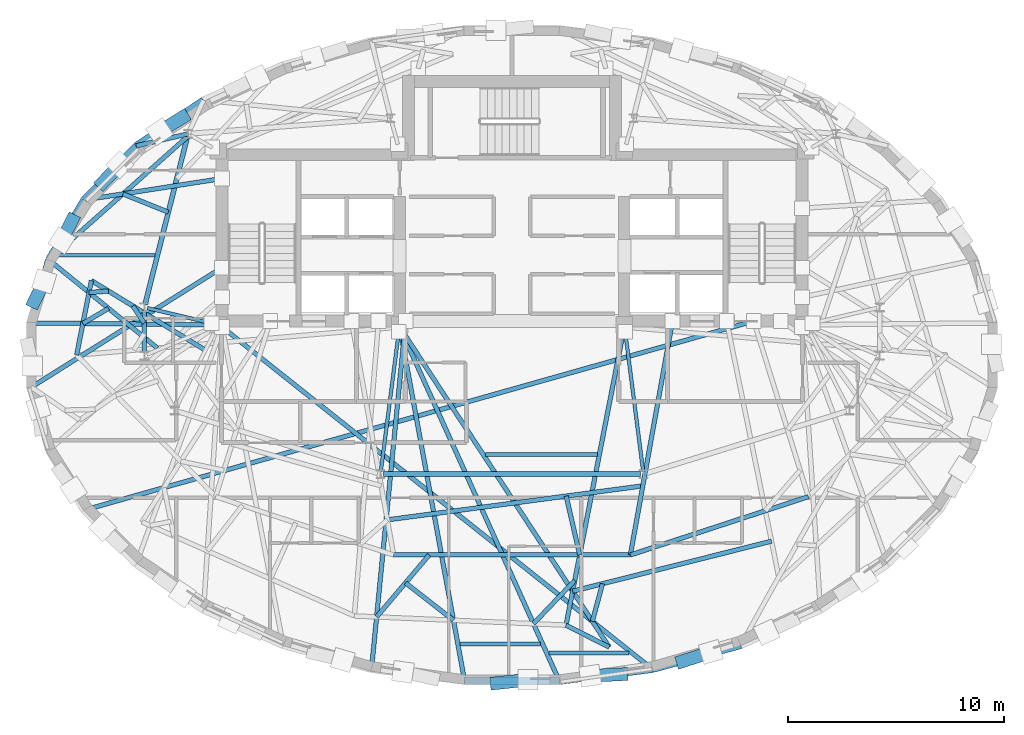
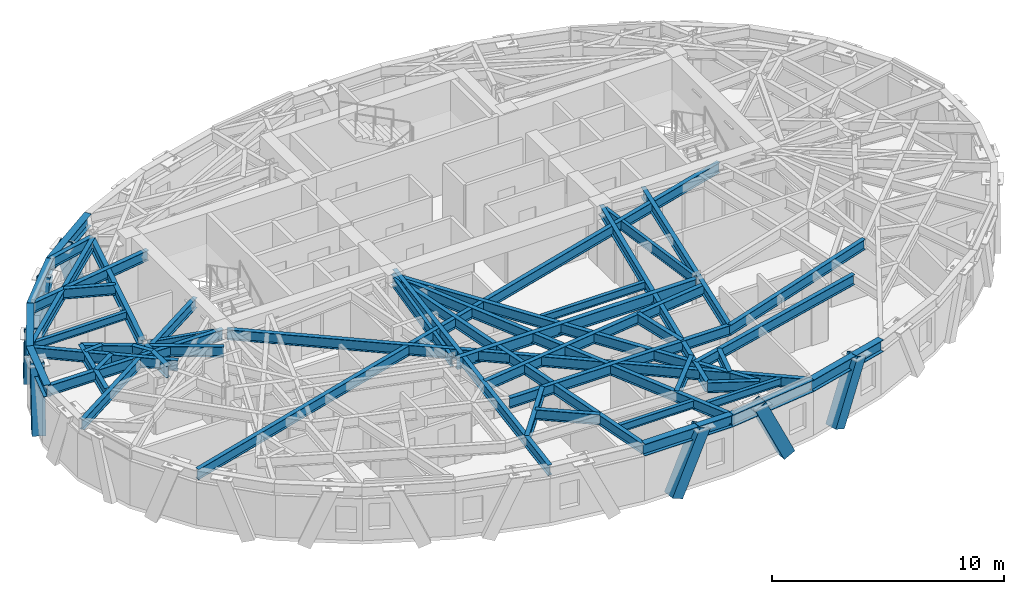
# One storey, part 2 of 12: 47 beams, 7 members.
"""IFC4 building model written with IfcOpenShell, lengths in metres."""

from ifc_helpers import new_model, si_unit, direction, frame, origin, origin_2d, place, context, subcontext, project, spatial, hollow_rectangle, i_section, extrude, material, material_profile, profile_set, type_object, element, save


model = new_model("IFC4")

# Units and contexts
model_context = context("Model", 3, precision=1e-05, world=origin(), true_north=direction((0.0, 1.0)))
body_context = subcontext(model_context, "Body", "Model", "MODEL_VIEW")
ifc_project = project(units=[si_unit("LENGTHUNIT", "METRE"), si_unit("AREAUNIT", "SQUARE_METRE"), si_unit("VOLUMEUNIT", "CUBIC_METRE"), si_unit("PLANEANGLEUNIT", "RADIAN"), si_unit("MASSUNIT", "GRAM", prefix="KILO")], contexts=[model_context])

# Site, building, storey
site_placement = place(None, origin())
site = spatial("IfcSite", under=ifc_project, at=site_placement, CompositionType="ELEMENT")
building_placement = place(site_placement, origin())
building = spatial("IfcBuilding", under=site, at=building_placement, Name="Keldmark Tower", CompositionType="ELEMENT")
storey_placement = place(building_placement, frame((0.0, 0.0, 228.89990234375)))
storey = spatial("IfcBuildingStorey", under=building, at=storey_placement, Name="L64", CompositionType="ELEMENT", Elevation=228.89990234375)

# Beams
ifc_material_1 = material(Name="Steel ASTM A992 Grade 50", Category="steel")
ifc_material_profile_1 = material_profile(ifc_material_1, i_section(OverallWidth=0.177978515625, OverallDepth=0.403076171875, WebThickness=0.007568359375, FlangeThickness=0.010986328125, at=origin_2d()), Name="W16X36")
ifc_profile_set_1 = profile_set([ifc_material_profile_1], Name="Steel ASTM A992 Grade 50")
beam_type_1 = type_object("IfcBeamType", Name="Composite Floor Joist W16X36", PredefinedType="JOIST", material=ifc_profile_set_1)
beam_1_placement = place(storey_placement, frame((-2.4091796875, -13.3798828125, 2.7685546875), z_axis=(1.0, 0.0, 0.0), x_axis=(0.0, 1.0, 0.0)))
element("IfcBeam", 1, at=beam_1_placement, inside=storey, type_object=beam_type_1, Name="L64 Composite Floor Joist J01", PredefinedType="JOIST", context=body_context, shape_type="SweptSolid", body=[
    extrude(i_section(OverallWidth=0.177978515625, OverallDepth=0.403076171875, WebThickness=0.007568359375, FlangeThickness=0.010986328125, at=origin_2d()), origin(), (0.0, 0.0, 1.0), 3.722412109375),
])
beam_2_placement = place(storey_placement, frame((1.71435546875, -13.800048828125, 2.7685546875), z_axis=(1.0, 0.0, 0.0), x_axis=(0.0, 1.0, 0.0)))
element("IfcBeam", 2, at=beam_2_placement, inside=storey, type_object=beam_type_1, Name="L64 Composite Floor Joist J02", PredefinedType="JOIST", context=body_context, shape_type="SweptSolid", body=[
    extrude(i_section(OverallWidth=0.177978515625, OverallDepth=0.403076171875, WebThickness=0.007568359375, FlangeThickness=0.010986328125, at=origin_2d()), origin(), (0.0, 0.0, 1.0), 3.69873046875),
])
beam_3_placement = place(storey_placement, frame((-1.222412109375, -4.60009765625, 2.7685546875), z_axis=(1.0, 0.0, 0.0), x_axis=(0.0, 1.0, 0.0)))
element("IfcBeam", 3, at=beam_3_placement, inside=storey, type_object=beam_type_1, Name="L64 Composite Floor Joist J03", PredefinedType="JOIST", context=body_context, shape_type="SweptSolid", body=[
    extrude(i_section(OverallWidth=0.177978515625, OverallDepth=0.403076171875, WebThickness=0.007568359375, FlangeThickness=0.010986328125, at=origin_2d()), origin(), (0.0, 0.0, 1.0), 5.1708984375),
])
beam_4_placement = place(storey_placement, frame((-21.064697265625, 4.6201171875, 2.7685546875), z_axis=(1.0, 0.0, 0.0), x_axis=(0.0, 1.0, 0.0)))
element("IfcBeam", 4, at=beam_4_placement, inside=storey, type_object=beam_type_1, Name="L64 Composite Floor Joist J04", PredefinedType="JOIST", context=body_context, shape_type="SweptSolid", body=[
    extrude(i_section(OverallWidth=0.177978515625, OverallDepth=0.403076171875, WebThickness=0.007568359375, FlangeThickness=0.010986328125, at=origin_2d()), origin(), (0.0, 0.0, 1.0), 4.539794921875),
])

# Members
ifc_material_2 = material(Name="Steel ASTM A572 Grade 50", Category="steel")
ifc_material_profile_2 = material_profile(ifc_material_2, hollow_rectangle(XDim=0.60009765625, YDim=0.60009765625, WallThickness=0.034912109375, at=origin_2d()), Name="BOX600X600X35")
ifc_profile_set_2 = profile_set([ifc_material_profile_2], Name="Steel ASTM A572 Grade 50")
member_type = type_object("IfcMemberType", Name="Diagrid Zone 4 Brace BOX600X600X35", PredefinedType="BRACE", material=ifc_profile_set_2)
member_1_placement = place(storey_placement, frame((-15.2392578125, 11.017333984375, -0.260009765625), z_axis=(-0.322779112881, -0.200202927832, 0.925058069515), x_axis=(0.527091568358, -0.849808495231, 0.0)))
element("IfcMember", 5, at=member_1_placement, inside=storey, type_object=member_type, Name="L64 Perimeter Diagrid Brace 06B", PredefinedType="BRACE", context=body_context, shape_type="SweptSolid", body=[
    extrude(hollow_rectangle(XDim=0.60009765625, YDim=0.60009765625, WallThickness=0.034912109375, at=origin_2d()), origin(), (0.0, 0.0, 1.0), 3.362060546875),
])
member_2_placement = place(storey_placement, frame((-18.96142578125, 7.974365234375, -0.260009765625), z_axis=(0.241254910751, 0.252655676351, 0.936995825629), x_axis=(-0.72323603249, 0.690600927676, 0.0)))
element("IfcMember", 6, at=member_2_placement, inside=storey, type_object=member_type, Name="L64 Perimeter Diagrid Brace 07A", PredefinedType="BRACE", context=body_context, shape_type="SweptSolid", body=[
    extrude(hollow_rectangle(XDim=0.60009765625, YDim=0.60009765625, WallThickness=0.034912109375, at=origin_2d()), origin(), (0.0, 0.0, 1.0), 3.3193359375),
])
member_3_placement = place(storey_placement, frame((-20.363525390625, 6.24462890625, -0.260009765625), z_axis=(-0.148062776299, -0.285496548075, 0.946873347028), x_axis=(0.887719549049, -0.46038462424, 0.0)))
element("IfcMember", 7, at=member_3_placement, inside=storey, type_object=member_type, Name="L64 Perimeter Diagrid Brace 07B", PredefinedType="BRACE", context=body_context, shape_type="SweptSolid", body=[
    extrude(hollow_rectangle(XDim=0.60009765625, YDim=0.60009765625, WallThickness=0.034912109375, at=origin_2d()), origin(), (0.0, 0.0, 1.0), 3.28466796875),
])
member_4_placement = place(storey_placement, frame((-22.12451171875, 2.46337890625, -0.260009765625), z_axis=(0.141358796309, 0.290814339228, 0.946279404196), x_axis=(-0.89937914481, 0.437169479585, 0.0)))
element("IfcMember", 8, at=member_4_placement, inside=storey, type_object=member_type, Name="L64 Perimeter Diagrid Brace 08A", PredefinedType="BRACE", context=body_context, shape_type="SweptSolid", body=[
    extrude(hollow_rectangle(XDim=0.60009765625, YDim=0.60009765625, WallThickness=0.034912109375, at=origin_2d()), origin(), (0.0, 0.0, 1.0), 3.28662109375),
])
member_5_placement = place(storey_placement, frame((-0.732421875, -15.18798828125, -0.260009765625), z_axis=(0.426722319546, 0.044388197414, 0.903292726602), x_axis=(-0.103463018698, 0.994633301153, 0.0)))
element("IfcMember", 9, at=member_5_placement, inside=storey, type_object=member_type, Name="L64 Perimeter Diagrid Brace 12B", PredefinedType="BRACE", context=body_context, shape_type="SweptSolid", body=[
    extrude(hollow_rectangle(XDim=0.60009765625, YDim=0.60009765625, WallThickness=0.034912109375, at=origin_2d()), origin(), (0.0, 0.0, 1.0), 3.443115234375),
])
member_6_placement = place(storey_placement, frame((5.095947265625, -14.778076171875, -0.260009765625), z_axis=(-0.427626468475, -0.021282007389, 0.903704973773), x_axis=(0.049706231649, -0.998763881273, 0.0)))
element("IfcMember", 10, at=member_6_placement, inside=storey, type_object=member_type, Name="L64 Perimeter Diagrid Brace 13A", PredefinedType="BRACE", context=body_context, shape_type="SweptSolid", body=[
    extrude(hollow_rectangle(XDim=0.60009765625, YDim=0.60009765625, WallThickness=0.034912109375, at=origin_2d()), origin(), (0.0, 0.0, 1.0), 3.44140625),
])
member_7_placement = place(storey_placement, frame((7.88037109375, -14.181884765625, -0.260009765625), z_axis=(0.390454269369, 0.126978162028, 0.911823453252), x_axis=(-0.30926345309, 0.950976401696, 0.0)))
element("IfcMember", 11, at=member_7_placement, inside=storey, type_object=member_type, Name="L64 Perimeter Diagrid Brace 13B", PredefinedType="BRACE", context=body_context, shape_type="SweptSolid", body=[
    extrude(hollow_rectangle(XDim=0.60009765625, YDim=0.60009765625, WallThickness=0.034912109375, at=origin_2d()), origin(), (0.0, 0.0, 1.0), 3.410888671875),
])

# Beams
ifc_material_3 = material(Name="Steel ASTM A992 Grade 50", Category="steel")
ifc_material_profile_3 = material_profile(ifc_material_3, i_section(OverallWidth=0.22802734375, OverallDepth=0.60302734375, WebThickness=0.010498046875, FlangeThickness=0.014892578125, at=origin_2d()), Name="W24X68")
ifc_profile_set_3 = profile_set([ifc_material_profile_3], Name="Steel ASTM A992 Grade 50")
beam_type_2 = type_object("IfcBeamType", Name="Primary Floor Girder W24X68", PredefinedType="BEAM", material=ifc_profile_set_3)
beam_5_placement = place(storey_placement, frame((-15.030029296875, 10.10791015625, 2.668701171875), z_axis=(-0.244902129455, -0.969547805417, 0.0), x_axis=(0.969547805417, -0.244902129455, 0.0)))
element("IfcBeam", 12, at=beam_5_placement, inside=storey, type_object=beam_type_2, Name="L64 Floor Ring Girder FG-R05", PredefinedType="BEAM", context=body_context, shape_type="SweptSolid", body=[
    extrude(i_section(OverallWidth=0.22802734375, OverallDepth=0.60302734375, WebThickness=0.010498046875, FlangeThickness=0.014892578125, at=origin_2d()), origin(), (0.0, 0.0, 1.0), 8.008056640625),
])
beam_6_placement = place(storey_placement, frame((-17.025634765625, 2.068115234375, 2.668701171875), z_axis=(0.0, -1.0, 0.0), x_axis=(1.0, 0.0, 0.0)))
element("IfcBeam", 13, at=beam_6_placement, inside=storey, type_object=beam_type_2, Name="L64 Floor Ring Girder FG-R06", PredefinedType="BEAM", context=body_context, shape_type="SweptSolid", body=[
    extrude(i_section(OverallWidth=0.22802734375, OverallDepth=0.60302734375, WebThickness=0.010498046875, FlangeThickness=0.014892578125, at=origin_2d()), origin(), (0.0, 0.0, 1.0), 1.9521484375),
])
beam_7_placement = place(storey_placement, frame((-5.949462890625, -5.512939453125, 2.668701171875), z_axis=(1.0, 0.0, 0.0), x_axis=(0.0, 1.0, 0.0)))
element("IfcBeam", 14, at=beam_7_placement, inside=storey, type_object=beam_type_2, Name="L64 Floor Ring Girder FG-R09", PredefinedType="BEAM", context=body_context, shape_type="SweptSolid", body=[
    extrude(i_section(OverallWidth=0.22802734375, OverallDepth=0.60302734375, WebThickness=0.010498046875, FlangeThickness=0.014892578125, at=origin_2d()), origin(), (0.0, 0.0, 1.0), 11.89892578125),
])
ifc_material_4 = material(Name="Steel ASTM A992 Grade 50", Category="steel")
ifc_material_profile_4 = material_profile(ifc_material_4, i_section(OverallWidth=0.166015625, OverallDepth=0.529052734375, WebThickness=0.009765625, FlangeThickness=0.013671875, at=origin_2d()), Name="W21X50")
ifc_profile_set_4 = profile_set([ifc_material_profile_4], Name="Steel ASTM A992 Grade 50")
beam_type_3 = type_object("IfcBeamType", Name="Radial Tie Girder W21X50", PredefinedType="BEAM", material=ifc_profile_set_4)
beam_8_placement = place(storey_placement, frame((-16.889404296875, 2.17578125, 2.70556640625), z_axis=(0.97329039005, -0.229577474147, 0.0), x_axis=(0.229577474147, 0.97329039005, 0.0)))
element("IfcBeam", 15, at=beam_8_placement, inside=storey, type_object=beam_type_3, Name="L64 Floor Radial Girder FG-C06", PredefinedType="BEAM", context=body_context, shape_type="SweptSolid", body=[
    extrude(i_section(OverallWidth=0.166015625, OverallDepth=0.529052734375, WebThickness=0.009765625, FlangeThickness=0.013671875, at=origin_2d()), origin(), (0.0, 0.0, 1.0), 3.0595703125),
])
for number, where, z_axis, x_axis, name in (
    (16, (-6.071533203125, -5.3740234375, 2.70556640625), (0.127625044513, 0.991822488157, 0.0), (-0.991822488157, 0.127625044513, 0.0), "L64 Floor Radial Girder FG-C09"),
    (17, (6.071533203125, -5.3740234375, 2.70556640625), (-0.127625044513, 0.991822488157, 0.0), (-0.991822488157, -0.127625044513, 0.0), "L64 Floor Radial Girder FG-C10"),
):
    element("IfcBeam", number, at=place(storey_placement, frame(where, z_axis=z_axis, x_axis=x_axis)), inside=storey, type_object=beam_type_3, Name=name, PredefinedType="BEAM", context=body_context, shape_type="SweptSolid", body=[
        extrude(i_section(OverallWidth=0.166015625, OverallDepth=0.529052734375, WebThickness=0.009765625, FlangeThickness=0.013671875, at=origin_2d()), origin(), (0.0, 0.0, 1.0), 6.509765625),
    ])
ifc_material_5 = material(Name="Steel ASTM A992 Grade 50", Category="steel")
ifc_material_profile_5 = material_profile(ifc_material_5, i_section(OverallWidth=0.2099609375, OverallDepth=0.537109375, WebThickness=0.010986328125, FlangeThickness=0.017333984375, at=origin_2d()), Name="W21X68")
ifc_profile_set_5 = profile_set([ifc_material_profile_5], Name="Steel ASTM A992 Grade 50")
beam_type_4 = type_object("IfcBeamType", Name="Radial Tie Girder W21X68", PredefinedType="BEAM", material=ifc_profile_set_5)
beam_9_placement = place(storey_placement, frame((-5.772705078125, -7.630615234375, 2.70166015625), z_axis=(0.99123736745, 0.132092699914, 0.0), x_axis=(-0.132092699914, 0.99123736745, 0.0)))
element("IfcBeam", 18, at=beam_9_placement, inside=storey, type_object=beam_type_4, Name="L64 Framing Pin Header PH-004", PredefinedType="BEAM", context=body_context, shape_type="SweptSolid", body=[
    extrude(i_section(OverallWidth=0.2099609375, OverallDepth=0.537109375, WebThickness=0.010986328125, FlangeThickness=0.017333984375, at=origin_2d()), origin(), (0.0, 0.0, 1.0), 11.93408203125),
])
beam_10_placement = place(storey_placement, frame((7.43212890625, 1.574951171875, 2.70166015625), z_axis=(-0.177393670446, -0.984139972608, 0.0), x_axis=(0.984139972608, -0.177393670446, 0.0)))
element("IfcBeam", 19, at=beam_10_placement, inside=storey, type_object=beam_type_4, Name="L64 Sub-Ring Step Girder STP1-M10", PredefinedType="BEAM", context=body_context, shape_type="SweptSolid", body=[
    extrude(i_section(OverallWidth=0.2099609375, OverallDepth=0.537109375, WebThickness=0.010986328125, FlangeThickness=0.017333984375, at=origin_2d()), origin(), (0.0, 0.0, 1.0), 11.004638671875),
])
beam_11_placement = place(storey_placement, frame((-5.47998046875, -9.255126953125, 2.70166015625), z_axis=(1.0, 0.0, 0.0), x_axis=(0.0, 1.0, 0.0)))
element("IfcBeam", 20, at=beam_11_placement, inside=storey, type_object=beam_type_4, Name="L64 Perimeter Collector Ring Beam CRG1-M09", PredefinedType="BEAM", context=body_context, shape_type="SweptSolid", body=[
    extrude(i_section(OverallWidth=0.2099609375, OverallDepth=0.537109375, WebThickness=0.010986328125, FlangeThickness=0.017333984375, at=origin_2d()), origin(), (0.0, 0.0, 1.0), 10.9599609375),
])
beam_12_placement = place(storey_placement, frame((5.47998046875, -9.255126953125, 2.70166015625), z_axis=(0.95029538348, 0.3113497778, 0.0), x_axis=(-0.3113497778, 0.95029538348, 0.0)))
element("IfcBeam", 21, at=beam_12_placement, inside=storey, type_object=beam_type_4, Name="L64 Perimeter Collector Ring Beam CRG1-M10", PredefinedType="BEAM", context=body_context, shape_type="SweptSolid", body=[
    extrude(i_section(OverallWidth=0.2099609375, OverallDepth=0.537109375, WebThickness=0.010986328125, FlangeThickness=0.017333984375, at=origin_2d()), origin(), (0.0, 0.0, 1.0), 8.6708984375),
])
beam_13_placement = place(storey_placement, frame((2.508056640625, -6.527099609375, 2.70166015625), z_axis=(0.224311695476, -0.974517451497, 0.0), x_axis=(0.974517451497, 0.224311695476, 0.0)))
element("IfcBeam", 22, at=beam_13_placement, inside=storey, type_object=beam_type_4, Name="L64 Framing Pin Header PH-010", PredefinedType="BEAM", context=body_context, shape_type="SweptSolid", body=[
    extrude(i_section(OverallWidth=0.2099609375, OverallDepth=0.537109375, WebThickness=0.010986328125, FlangeThickness=0.017333984375, at=origin_2d()), origin(), (0.0, 0.0, 1.0), 2.79931640625),
])
beam_14_placement = place(storey_placement, frame((5.199951171875, 1.300048828125, 2.70166015625), z_axis=(-0.191905494186, -0.981413409987, 0.0), x_axis=(0.981413409987, -0.191905494186, 0.0)))
element("IfcBeam", 23, at=beam_14_placement, inside=storey, type_object=beam_type_4, Name="L64 Sub-Ring Step Girder STP2-M10", PredefinedType="BEAM", context=body_context, shape_type="SweptSolid", body=[
    extrude(i_section(OverallWidth=0.2099609375, OverallDepth=0.537109375, WebThickness=0.010986328125, FlangeThickness=0.017333984375, at=origin_2d()), origin(), (0.0, 0.0, 1.0), 14.066650390625),
])
beam_15_placement = place(storey_placement, frame((-14.995849609375, 10.24365234375, 2.70166015625), z_axis=(-0.974134108933, -0.225970656976, 0.0), x_axis=(0.225970656976, -0.974134108933, 0.0)))
element("IfcBeam", 24, at=beam_15_placement, inside=storey, type_object=beam_type_4, Name="L64 Perimeter Column Bracket RT-13", PredefinedType="BEAM", context=body_context, shape_type="SweptSolid", body=[
    extrude(i_section(OverallWidth=0.2099609375, OverallDepth=0.537109375, WebThickness=0.010986328125, FlangeThickness=0.017333984375, at=origin_2d()), origin(), (0.0, 0.0, 1.0), 2.470947265625),
])
beam_16_placement = place(storey_placement, frame((-17.025634765625, 1.482421875, 2.70166015625), z_axis=(-0.556055164887, 0.831145386561, 0.0), x_axis=(-0.831145386561, -0.556055164887, 0.0)))
element("IfcBeam", 25, at=beam_16_placement, inside=storey, type_object=beam_type_4, Name="L64 Framing Pin Header PH-018", PredefinedType="BEAM", context=body_context, shape_type="SweptSolid", body=[
    extrude(i_section(OverallWidth=0.2099609375, OverallDepth=0.537109375, WebThickness=0.010986328125, FlangeThickness=0.017333984375, at=origin_2d()), origin(), (0.0, 0.0, 1.0), 0.955810546875),
])
beam_17_placement = place(storey_placement, frame((-14.197021484375, 0.225341796875, 2.70166015625), z_axis=(-0.853477958263, 0.521128942547, 0.0), x_axis=(-0.521128942547, -0.853477958263, 0.0)))
element("IfcBeam", 26, at=beam_17_placement, inside=storey, type_object=beam_type_4, Name="L64 Intermediate Radial Step Girder RT-15M", PredefinedType="BEAM", context=body_context, shape_type="SweptSolid", body=[
    extrude(i_section(OverallWidth=0.2099609375, OverallDepth=0.537109375, WebThickness=0.010986328125, FlangeThickness=0.017333984375, at=origin_2d()), origin(), (0.0, 0.0, 1.0), 6.18310546875),
])
beam_18_placement = place(storey_placement, frame((-20.1591796875, -0.001708984375, 2.70166015625), z_axis=(0.194807559545, 0.980841482985, 0.0), x_axis=(-0.980841482985, 0.194807559545, 0.0)))
element("IfcBeam", 27, at=beam_18_placement, inside=storey, type_object=beam_type_4, Name="L64 Local Collector Chord RT-15C", PredefinedType="BEAM", context=body_context, shape_type="SweptSolid", body=[
    extrude(i_section(OverallWidth=0.2099609375, OverallDepth=0.537109375, WebThickness=0.010986328125, FlangeThickness=0.017333984375, at=origin_2d()), origin(), (0.0, 0.0, 1.0), 3.5166015625),
])
beam_19_placement = place(storey_placement, frame((-18.6826171875, 2.964111328125, 2.70166015625), z_axis=(-0.997214405929, -0.07458839459, 0.0), x_axis=(0.07458839459, -0.997214405929, 0.0)))
element("IfcBeam", 28, at=beam_19_placement, inside=storey, type_object=beam_type_4, Name="L64 Framing Pin Header PH-019", PredefinedType="BEAM", context=body_context, shape_type="SweptSolid", body=[
    extrude(i_section(OverallWidth=0.2099609375, OverallDepth=0.537109375, WebThickness=0.010986328125, FlangeThickness=0.017333984375, at=origin_2d()), origin(), (0.0, 0.0, 1.0), 0.9033203125),
])
beam_20_placement = place(storey_placement, frame((-16.41943359375, 0.32373046875, 2.70166015625), z_axis=(-0.775859223172, 0.63090606735, 0.0), x_axis=(-0.63090606735, -0.775859223172, 0.0)))
element("IfcBeam", 29, at=beam_20_placement, inside=storey, type_object=beam_type_4, Name="L64 Perimeter Radial Tie Girder RT-15", PredefinedType="BEAM", context=body_context, shape_type="SweptSolid", body=[
    extrude(i_section(OverallWidth=0.2099609375, OverallDepth=0.537109375, WebThickness=0.010986328125, FlangeThickness=0.017333984375, at=origin_2d()), origin(), (0.0, 0.0, 1.0), 6.4794921875),
])
beam_21_placement = place(storey_placement, frame((-18.681640625, 2.163330078125, 2.70166015625), z_axis=(-0.861190935941, -0.508281587166, 0.0), x_axis=(0.508281587166, -0.861190935941, 0.0)))
element("IfcBeam", 30, at=beam_21_placement, inside=storey, type_object=beam_type_4, Name="L64 Framing Pin Header PH-020", PredefinedType="BEAM", context=body_context, shape_type="SweptSolid", body=[
    extrude(i_section(OverallWidth=0.2099609375, OverallDepth=0.537109375, WebThickness=0.010986328125, FlangeThickness=0.017333984375, at=origin_2d()), origin(), (0.0, 0.0, 1.0), 1.378173828125),
])
beam_22_placement = place(storey_placement, frame((-13.60009765625, 1.39990234375, 2.70166015625), z_axis=(-0.999949630947, 0.010036711081, 0.0), x_axis=(-0.010036711081, -0.999949630947, 0.0)))
element("IfcBeam", 31, at=beam_22_placement, inside=storey, type_object=beam_type_4, Name="L64 Perimeter Radial Tie Girder RT-16", PredefinedType="BEAM", context=body_context, shape_type="SweptSolid", body=[
    extrude(i_section(OverallWidth=0.2099609375, OverallDepth=0.537109375, WebThickness=0.010986328125, FlangeThickness=0.017333984375, at=origin_2d()), origin(), (0.0, 0.0, 1.0), 8.65966796875),
])
beam_23_placement = place(storey_placement, frame((-13.425048828125, 4.050048828125, 2.70166015625), z_axis=(-0.847330653303, -0.53106568706, 0.0), x_axis=(0.53106568706, -0.847330653303, 0.0)))
element("IfcBeam", 32, at=beam_23_placement, inside=storey, type_object=beam_type_4, Name="L64 Perimeter Radial Tie Girder RT-17", PredefinedType="BEAM", context=body_context, shape_type="SweptSolid", body=[
    extrude(i_section(OverallWidth=0.2099609375, OverallDepth=0.537109375, WebThickness=0.010986328125, FlangeThickness=0.017333984375, at=origin_2d()), origin(), (0.0, 0.0, 1.0), 10.426025390625),
])
beam_24_placement = place(storey_placement, frame((11.19287109375, 1.574951171875, 2.70166015625), z_axis=(-0.962355255993, -0.271794704257, 0.0), x_axis=(0.271794704257, -0.962355255993, 0.0)))
element("IfcBeam", 33, at=beam_24_placement, inside=storey, type_object=beam_type_4, Name="L64 Perimeter Radial Tie Girder RT-19", PredefinedType="BEAM", context=body_context, shape_type="SweptSolid", body=[
    extrude(i_section(OverallWidth=0.2099609375, OverallDepth=0.537109375, WebThickness=0.010986328125, FlangeThickness=0.017333984375, at=origin_2d()), origin(), (0.0, 0.0, 1.0), 32.22119140625),
])
beam_25_placement = place(storey_placement, frame((-3.8359375, -9.255126953125, 2.70166015625), z_axis=(-0.646724658832, -0.762723551268, 0.0), x_axis=(0.762723551268, -0.646724658832, 0.0)))
element("IfcBeam", 34, at=beam_25_placement, inside=storey, type_object=beam_type_4, Name="L64 Framing Pin Header PH-027", PredefinedType="BEAM", context=body_context, shape_type="SweptSolid", body=[
    extrude(i_section(OverallWidth=0.2099609375, OverallDepth=0.537109375, WebThickness=0.010986328125, FlangeThickness=0.017333984375, at=origin_2d()), origin(), (0.0, 0.0, 1.0), 3.760986328125),
])
beam_26_placement = place(storey_placement, frame((-4.925048828125, 1.574951171875, 2.70166015625), z_axis=(-0.097590160527, -0.995226688031, 0.0), x_axis=(0.995226688031, -0.097590160527, 0.0)))
element("IfcBeam", 35, at=beam_26_placement, inside=storey, type_object=beam_type_4, Name="L64 Perimeter Radial Tie Girder RT-23", PredefinedType="BEAM", context=body_context, shape_type="SweptSolid", body=[
    extrude(i_section(OverallWidth=0.2099609375, OverallDepth=0.537109375, WebThickness=0.010986328125, FlangeThickness=0.017333984375, at=origin_2d()), origin(), (0.0, 0.0, 1.0), 16.196044921875),
])
beam_27_placement = place(storey_placement, frame((-4.9306640625, -10.546142578125, 2.70166015625), z_axis=(0.788544327003, -0.61497792184, 0.0), x_axis=(0.61497792184, 0.788544327003, 0.0)))
element("IfcBeam", 36, at=beam_27_placement, inside=storey, type_object=beam_type_4, Name="L64 Framing Pin Header PH-028", PredefinedType="BEAM", context=body_context, shape_type="SweptSolid", body=[
    extrude(i_section(OverallWidth=0.2099609375, OverallDepth=0.537109375, WebThickness=0.010986328125, FlangeThickness=0.017333984375, at=origin_2d()), origin(), (0.0, 0.0, 1.0), 2.8173828125),
])
beam_28_placement = place(storey_placement, frame((-5.199951171875, 1.300048828125, 2.70166015625), z_axis=(0.180435800963, -0.983586763703, 0.0), x_axis=(0.983586763703, 0.180435800963, 0.0)))
element("IfcBeam", 37, at=beam_28_placement, inside=storey, type_object=beam_type_4, Name="L64 Perimeter Radial Tie Girder RT-24", PredefinedType="BEAM", context=body_context, shape_type="SweptSolid", body=[
    extrude(i_section(OverallWidth=0.2099609375, OverallDepth=0.537109375, WebThickness=0.010986328125, FlangeThickness=0.017333984375, at=origin_2d()), origin(), (0.0, 0.0, 1.0), 16.66845703125),
])
beam_29_placement = place(storey_placement, frame((2.905517578125, -10.434326171875, 2.70166015625), z_axis=(-0.689754213989, -0.724043592806, 0.0), x_axis=(0.724043592806, -0.689754213989, 0.0)))
element("IfcBeam", 38, at=beam_29_placement, inside=storey, type_object=beam_type_4, Name="L64 Framing Pin Header PH-029", PredefinedType="BEAM", context=body_context, shape_type="SweptSolid", body=[
    extrude(i_section(OverallWidth=0.2099609375, OverallDepth=0.537109375, WebThickness=0.010986328125, FlangeThickness=0.017333984375, at=origin_2d()), origin(), (0.0, 0.0, 1.0), 2.769775390625),
])
beam_30_placement = place(storey_placement, frame((-5.199951171875, 1.300048828125, 2.70166015625), z_axis=(0.411043605997, -0.911615683262, 0.0), x_axis=(0.911615683262, 0.411043605997, 0.0)))
element("IfcBeam", 39, at=beam_30_placement, inside=storey, type_object=beam_type_4, Name="L64 Perimeter Radial Tie Girder RT-25", PredefinedType="BEAM", context=body_context, shape_type="SweptSolid", body=[
    extrude(i_section(OverallWidth=0.2099609375, OverallDepth=0.537109375, WebThickness=0.010986328125, FlangeThickness=0.017333984375, at=origin_2d()), origin(), (0.0, 0.0, 1.0), 17.984375),
])
beam_31_placement = place(storey_placement, frame((12.015380859375, -8.615478515625, 2.70166015625), z_axis=(-0.969720567508, -0.244217159415, 0.0), x_axis=(0.244217159415, -0.969720567508, 0.0)))
element("IfcBeam", 40, at=beam_31_placement, inside=storey, type_object=beam_type_4, Name="L64 Framing Pin Header PH-030", PredefinedType="BEAM", context=body_context, shape_type="SweptSolid", body=[
    extrude(i_section(OverallWidth=0.2099609375, OverallDepth=0.537109375, WebThickness=0.010986328125, FlangeThickness=0.017333984375, at=origin_2d()), origin(), (0.0, 0.0, 1.0), 9.4951171875),
])
beam_32_placement = place(storey_placement, frame((-5.199951171875, 1.300048828125, 2.70166015625), z_axis=(0.547652860531, -0.836705649767, 0.0), x_axis=(0.836705649767, 0.547652860531, 0.0)))
element("IfcBeam", 41, at=beam_32_placement, inside=storey, type_object=beam_type_4, Name="L64 Intermediate Radial Step Girder RT-26M", PredefinedType="BEAM", context=body_context, shape_type="SweptSolid", body=[
    extrude(i_section(OverallWidth=0.2099609375, OverallDepth=0.537109375, WebThickness=0.010986328125, FlangeThickness=0.017333984375, at=origin_2d()), origin(), (0.0, 0.0, 1.0), 17.7177734375),
])
beam_33_placement = place(storey_placement, frame((2.50048828125, -12.505126953125, 2.70166015625), z_axis=(0.89121023093, -0.453590480816, 0.0), x_axis=(0.453590480816, 0.89121023093, 0.0)))
element("IfcBeam", 42, at=beam_33_placement, inside=storey, type_object=beam_type_4, Name="L64 Local Collector Chord RT-26C", PredefinedType="BEAM", context=body_context, shape_type="SweptSolid", body=[
    extrude(i_section(OverallWidth=0.2099609375, OverallDepth=0.537109375, WebThickness=0.010986328125, FlangeThickness=0.017333984375, at=origin_2d()), origin(), (0.0, 0.0, 1.0), 2.2470703125),
])
beam_34_placement = place(storey_placement, frame((4.18896484375, -10.58642578125, 2.70166015625), z_axis=(-0.258823955374, -0.965924510572, 0.0), x_axis=(0.965924510572, -0.258823955374, 0.0)))
element("IfcBeam", 43, at=beam_34_placement, inside=storey, type_object=beam_type_4, Name="L64 Framing Pin Header PH-031", PredefinedType="BEAM", context=body_context, shape_type="SweptSolid", body=[
    extrude(i_section(OverallWidth=0.2099609375, OverallDepth=0.537109375, WebThickness=0.010986328125, FlangeThickness=0.017333984375, at=origin_2d()), origin(), (0.0, 0.0, 1.0), 1.805419921875),
])
beam_35_placement = place(storey_placement, frame((-13.425048828125, 1.300048828125, 2.70166015625), z_axis=(0.78279594778, -0.622278477965, 0.0), x_axis=(0.622278477965, 0.78279594778, 0.0)))
element("IfcBeam", 44, at=beam_35_placement, inside=storey, type_object=beam_type_4, Name="L64 Perimeter Radial Tie Girder RT-26", PredefinedType="BEAM", context=body_context, shape_type="SweptSolid", body=[
    extrude(i_section(OverallWidth=0.2099609375, OverallDepth=0.537109375, WebThickness=0.010986328125, FlangeThickness=0.017333984375, at=origin_2d()), origin(), (0.0, 0.0, 1.0), 25.4609375),
])
beam_36_placement = place(storey_placement, frame((-15.030029296875, 10.10791015625, 2.70166015625), z_axis=(-0.747829896594, -0.663890386856, 0.0), x_axis=(0.663890386856, -0.747829896594, 0.0)))
element("IfcBeam", 45, at=beam_36_placement, inside=storey, type_object=beam_type_4, Name="L64 Straddling Support Chord RT-14RB", PredefinedType="BEAM", context=body_context, shape_type="SweptSolid", body=[
    extrude(i_section(OverallWidth=0.2099609375, OverallDepth=0.537109375, WebThickness=0.010986328125, FlangeThickness=0.017333984375, at=origin_2d()), origin(), (0.0, 0.0, 1.0), 8.580078125),
])
beam_37_placement = place(storey_placement, frame((-15.91259765625, 6.614013671875, 2.70166015625), z_axis=(-0.926928045589, 0.375239121494, 0.0), x_axis=(-0.375239121494, -0.926928045589, 0.0)))
element("IfcBeam", 46, at=beam_37_placement, inside=storey, type_object=beam_type_4, Name="L64 Framing Pin Header PH-041", PredefinedType="BEAM", context=body_context, shape_type="SweptSolid", body=[
    extrude(i_section(OverallWidth=0.2099609375, OverallDepth=0.537109375, WebThickness=0.010986328125, FlangeThickness=0.017333984375, at=origin_2d()), origin(), (0.0, 0.0, 1.0), 2.26220703125),
])
beam_38_placement = place(storey_placement, frame((-13.425048828125, 8.175048828125, 2.70166015625), z_axis=(-0.988154663512, -0.15346126866, 0.0), x_axis=(0.15346126866, -0.988154663512, 0.0)))
element("IfcBeam", 47, at=beam_38_placement, inside=storey, type_object=beam_type_4, Name="L64 Perimeter Radial Tie Girder RT-14R", PredefinedType="BEAM", context=body_context, shape_type="SweptSolid", body=[
    extrude(i_section(OverallWidth=0.2099609375, OverallDepth=0.537109375, WebThickness=0.010986328125, FlangeThickness=0.017333984375, at=origin_2d()), origin(), (0.0, 0.0, 1.0), 6.467041015625),
])
ifc_material_6 = material(Name="Steel ASTM A992 Grade 50", Category="steel")
ifc_material_profile_6 = material_profile(ifc_material_6, i_section(OverallWidth=0.326904296875, OverallDepth=0.6220703125, WebThickness=0.015380859375, FlangeThickness=0.0244140625, at=origin_2d()), Name="W24X131")
ifc_profile_set_6 = profile_set([ifc_material_profile_6], Name="Steel ASTM A992 Grade 50")
beam_type_5 = type_object("IfcBeamType", Name="Spandrel Ring Beam W24X131", PredefinedType="SPANDREL", material=ifc_profile_set_6)
beam_39_placement = place(storey_placement, frame((-14.281982421875, 11.801513671875, 2.6591796875), z_axis=(-0.827661601168, -0.561227470775, 0.0), x_axis=(0.561227470775, -0.827661601168, 0.0)))
element("IfcBeam", 48, at=beam_39_placement, inside=storey, type_object=beam_type_5, Name="L64 Perimeter Spandrel Ring Beam SRB-12", PredefinedType="SPANDREL", context=body_context, shape_type="SweptSolid", body=[
    extrude(i_section(OverallWidth=0.326904296875, OverallDepth=0.6220703125, WebThickness=0.015380859375, FlangeThickness=0.0244140625, at=origin_2d()), origin(), (0.0, 0.0, 1.0), 3.770751953125),
])
beam_40_placement = place(storey_placement, frame((-17.40283203125, 9.685302734375, 2.6591796875), z_axis=(-0.694030285144, -0.71994580581, 0.0), x_axis=(0.71994580581, -0.694030285144, 0.0)))
element("IfcBeam", 49, at=beam_40_placement, inside=storey, type_object=beam_type_5, Name="L64 Perimeter Spandrel Ring Beam SRB-13", PredefinedType="SPANDREL", context=body_context, shape_type="SweptSolid", body=[
    extrude(i_section(OverallWidth=0.326904296875, OverallDepth=0.6220703125, WebThickness=0.015380859375, FlangeThickness=0.0244140625, at=origin_2d()), origin(), (0.0, 0.0, 1.0), 3.476318359375),
])
beam_41_placement = place(storey_placement, frame((-19.8154296875, 7.1826171875, 2.6591796875), z_axis=(-0.507275605256, -0.861783882601, 0.0), x_axis=(0.861783882601, -0.507275605256, 0.0)))
element("IfcBeam", 50, at=beam_41_placement, inside=storey, type_object=beam_type_5, Name="L64 Perimeter Spandrel Ring Beam SRB-14", PredefinedType="SPANDREL", context=body_context, shape_type="SweptSolid", body=[
    extrude(i_section(OverallWidth=0.326904296875, OverallDepth=0.6220703125, WebThickness=0.015380859375, FlangeThickness=0.0244140625, at=origin_2d()), origin(), (0.0, 0.0, 1.0), 3.21533203125),
])
beam_42_placement = place(storey_placement, frame((-21.446533203125, 4.41162109375, 2.6591796875), z_axis=(-0.26773511856, -0.963492556427, 0.0), x_axis=(0.963492556427, -0.26773511856, 0.0)))
element("IfcBeam", 51, at=beam_42_placement, inside=storey, type_object=beam_type_5, Name="L64 Perimeter Spandrel Ring Beam SRB-15", PredefinedType="SPANDREL", context=body_context, shape_type="SweptSolid", body=[
    extrude(i_section(OverallWidth=0.326904296875, OverallDepth=0.6220703125, WebThickness=0.015380859375, FlangeThickness=0.0244140625, at=origin_2d()), origin(), (0.0, 0.0, 1.0), 3.03564453125),
])
beam_43_placement = place(storey_placement, frame((-2.1923828125, -15.0947265625, 2.6591796875), z_axis=(1.0, 0.0, 0.0), x_axis=(0.0, 1.0, 0.0)))
element("IfcBeam", 52, at=beam_43_placement, inside=storey, type_object=beam_type_5, Name="L64 Perimeter Spandrel Ring Beam SRB-24", PredefinedType="SPANDREL", context=body_context, shape_type="SweptSolid", body=[
    extrude(i_section(OverallWidth=0.326904296875, OverallDepth=0.6220703125, WebThickness=0.015380859375, FlangeThickness=0.0244140625, at=origin_2d()), origin(), (0.0, 0.0, 1.0), 4.384765625),
])
beam_44_placement = place(storey_placement, frame((2.1923828125, -15.0947265625, 2.6591796875), z_axis=(0.991938221073, 0.126722395707, 0.0), x_axis=(-0.126722395707, 0.991938221073, 0.0)))
element("IfcBeam", 53, at=beam_44_placement, inside=storey, type_object=beam_type_5, Name="L64 Perimeter Spandrel Ring Beam SRB-25", PredefinedType="SPANDREL", context=body_context, shape_type="SweptSolid", body=[
    extrude(i_section(OverallWidth=0.326904296875, OverallDepth=0.6220703125, WebThickness=0.015380859375, FlangeThickness=0.0244140625, at=origin_2d()), origin(), (0.0, 0.0, 1.0), 4.348388671875),
])
beam_45_placement = place(storey_placement, frame((6.505615234375, -14.543701171875, 2.6591796875), z_axis=(0.965250622562, 0.261325918429, 0.0), x_axis=(-0.261325918429, 0.965250622562, 0.0)))
element("IfcBeam", 54, at=beam_45_placement, inside=storey, type_object=beam_type_5, Name="L64 Perimeter Spandrel Ring Beam SRB-26", PredefinedType="SPANDREL", context=body_context, shape_type="SweptSolid", body=[
    extrude(i_section(OverallWidth=0.326904296875, OverallDepth=0.6220703125, WebThickness=0.015380859375, FlangeThickness=0.0244140625, at=origin_2d()), origin(), (0.0, 0.0, 1.0), 4.233154296875),
])

save(model, "model.ifc")
